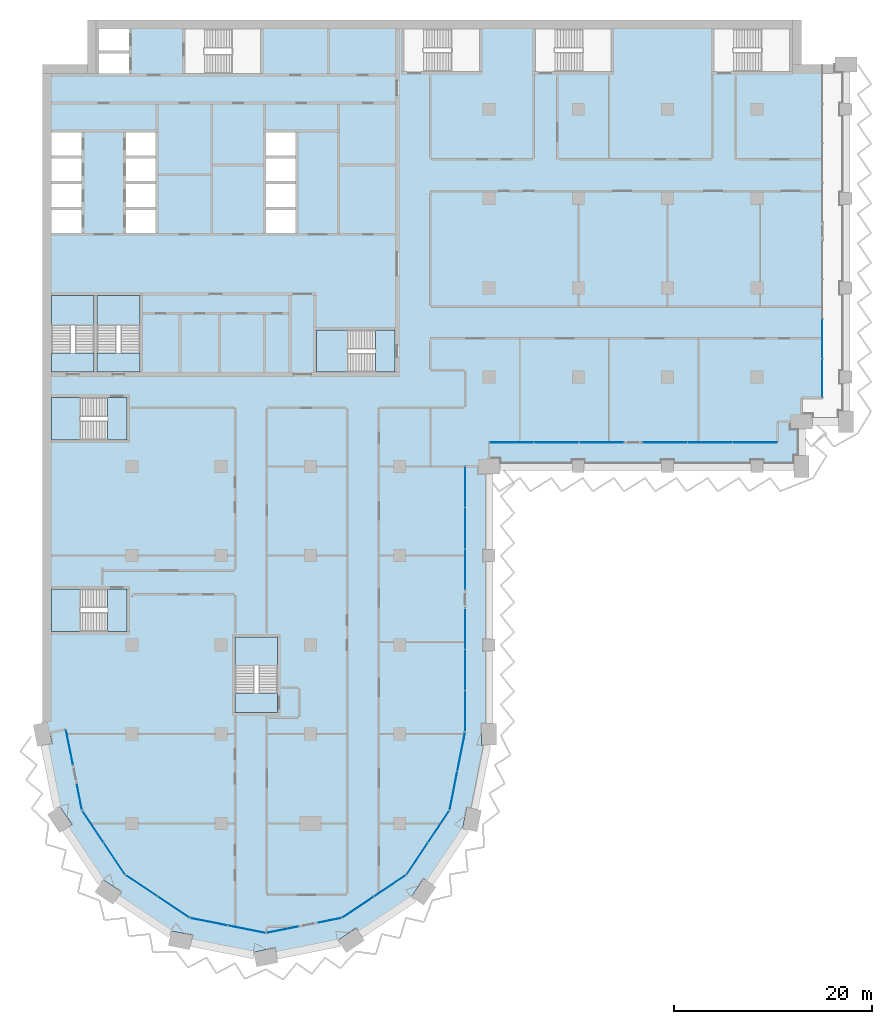
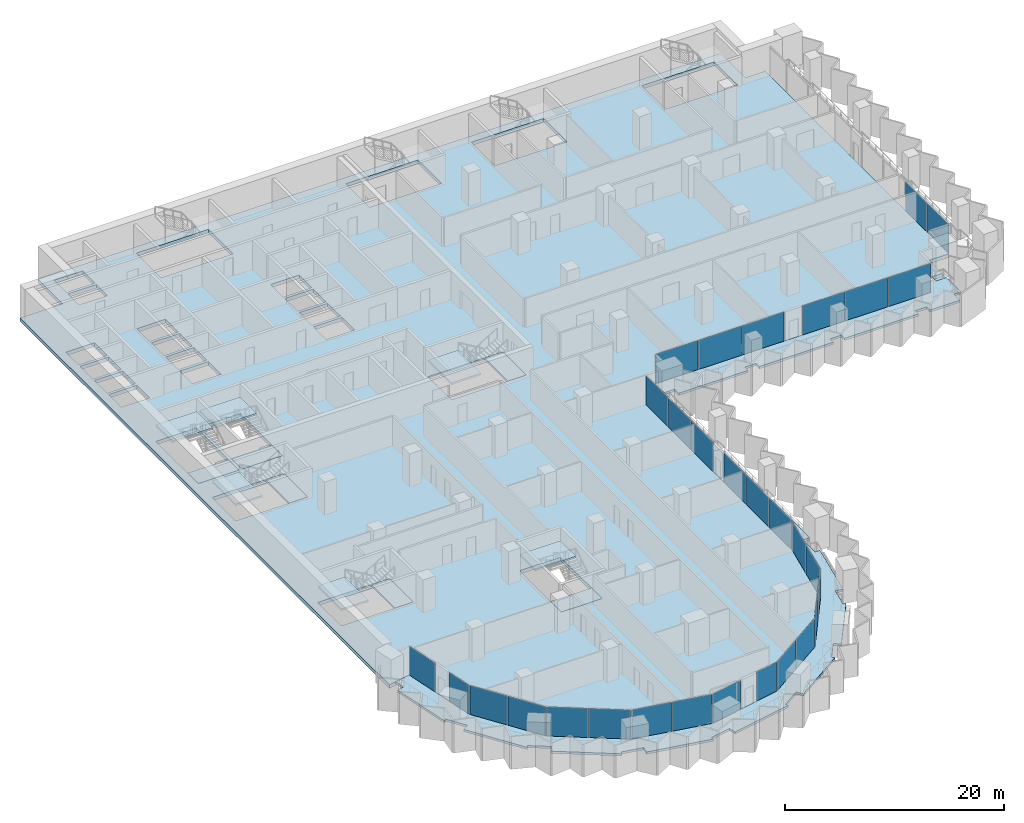
# One storey, part 7 of 22: 30 plates, 15 slabs, 21 elements without a shape of their own.
"""IFC4 building model written with IfcOpenShell, lengths in metres."""

from ifc_helpers import new_model, si_unit, direction, frame, origin, origin_2d, place, context, subcontext, project, spatial, polyline, rectangle, outline, extrude, material, layer, layer_set, type_object, element, aggregate, save


model = new_model("IFC4")

# Units and contexts
model_context = context("Model", 3, precision=1e-05, world=origin(), true_north=direction((0.0, 1.0)))
body_context = subcontext(model_context, "Body", "Model", "MODEL_VIEW")
ifc_project = project(units=[si_unit("LENGTHUNIT", "METRE"), si_unit("AREAUNIT", "SQUARE_METRE"), si_unit("VOLUMEUNIT", "CUBIC_METRE"), si_unit("PLANEANGLEUNIT", "RADIAN"), si_unit("MASSUNIT", "GRAM", prefix="KILO")], contexts=[model_context])

# Site, building, storey
site_placement = place(None, origin())
site = spatial("IfcSite", under=ifc_project, at=site_placement, CompositionType="ELEMENT")
building_placement = place(site_placement, origin())
building = spatial("IfcBuilding", under=site, at=building_placement, Name="Hunhe Ridgeline Campus", CompositionType="ELEMENT")
storey_placement = place(building_placement, frame((0.0, 0.0, 92.199951171875)))
storey = spatial("IfcBuildingStorey", under=building, at=storey_placement, Name="L22", CompositionType="ELEMENT", Elevation=92.199951171875)

# Curtain wall, plate
ifc_material_1 = material(Name="Aluminium 6063", Category="aluminium")
curtain_wall_type_1 = type_object("IfcCurtainWallType", Name="Curtain wall CW-5", PredefinedType="NOTDEFINED", material=ifc_material_1)
curtain_wall_1_placement = place(storey_placement, origin())
curtain_wall_1 = element("IfcCurtainWall", 1, at=curtain_wall_1_placement, inside=storey, type_object=curtain_wall_type_1, Name="Curtain wall 01", PredefinedType="NOTDEFINED")
ifc_material_2 = material(Name="Low-e laminated glass", Category="glass")
ifc_layer_1 = layer(ifc_material_2, 0.028076171875)
ifc_layer_set_1 = layer_set([ifc_layer_1], Name="Curtain wall glass panel 28 low-e laminated")
plate_type = type_object("IfcPlateType", Name="Curtain wall glass panel 28 low-e laminated", PredefinedType="CURTAIN_PANEL", material=ifc_layer_set_1)
plate_1_placement = place(storey_placement, frame((2.7158203125, 25.65380859375, 0.0), z_axis=(0.0, 0.0, 1.0), x_axis=(0.195095326561, -0.980784284924, 0.0)))
plate_1 = element("IfcPlate", 2, at=plate_1_placement, type_object=plate_type, Name="CW-5 panel 1", PredefinedType="CURTAIN_PANEL", context=body_context, shape_type="SweptSolid", body=[
    extrude(rectangle(XDim=3.560791015625, YDim=0.028076171875, at=origin_2d()), origin(), (0.0, 0.0, 1.0), 3.22998046875),
])
aggregate(curtain_wall_1, [plate_1])

curtain_wall_2_placement = place(storey_placement, origin())
curtain_wall_2 = element("IfcCurtainWall", 3, at=curtain_wall_2_placement, inside=storey, type_object=curtain_wall_type_1, Name="Curtain wall 02", PredefinedType="NOTDEFINED")
plate_2_placement = place(storey_placement, frame((3.701171875, 20.699951171875, 0.0), z_axis=(0.0, 0.0, 1.0), x_axis=(0.195095265587, -0.980784297053, 0.0)))
plate_2 = element("IfcPlate", 4, at=plate_2_placement, type_object=plate_type, Name="CW-5 panel 1", PredefinedType="CURTAIN_PANEL", context=body_context, shape_type="SweptSolid", body=[
    extrude(rectangle(XDim=2.660888671875, YDim=0.028076171875, at=origin_2d()), origin(), (0.0, 0.0, 1.0), 3.22998046875),
])
aggregate(curtain_wall_2, [plate_2])

# Curtain wall, plates
curtain_wall_3_placement = place(storey_placement, origin())
curtain_wall_3 = element("IfcCurtainWall", 5, at=curtain_wall_3_placement, inside=storey, type_object=curtain_wall_type_1, Name="Curtain wall 03", PredefinedType="NOTDEFINED")
plate_3_placement = place(storey_placement, frame((5.07080078125, 17.685546875, 0.0), z_axis=(0.0, 0.0, 1.0), x_axis=(0.555570274596, -0.831469584522, 0.0)))
plate_3 = element("IfcPlate", 6, at=plate_3_placement, type_object=plate_type, Name="CW-5 panel 1", PredefinedType="CURTAIN_PANEL", context=body_context, shape_type="SweptSolid", body=[
    extrude(rectangle(XDim=3.806884765625, YDim=0.028076171875, at=origin_2d()), origin(), (0.0, 0.0, 1.0), 3.22998046875),
])
plate_4_placement = place(storey_placement, frame((7.224609375, 14.4619140625, 0.0), z_axis=(0.0, 0.0, 1.0), x_axis=(0.555570274596, -0.831469584522, 0.0)))
plate_4 = element("IfcPlate", 7, at=plate_4_placement, type_object=plate_type, Name="CW-5 panel 2", PredefinedType="CURTAIN_PANEL", context=body_context, shape_type="SweptSolid", body=[
    extrude(rectangle(XDim=3.806884765625, YDim=0.028076171875, at=origin_2d()), origin(), (0.0, 0.0, 1.0), 3.22998046875),
])
aggregate(curtain_wall_3, [plate_3, plate_4])

curtain_wall_4_placement = place(storey_placement, origin())
curtain_wall_4 = element("IfcCurtainWall", 8, at=curtain_wall_4_placement, inside=storey, type_object=curtain_wall_type_1, Name="Curtain wall 04", PredefinedType="NOTDEFINED")
plate_5_placement = place(storey_placement, frame((9.9619140625, 11.724609375, 0.0), z_axis=(0.0, 0.0, 1.0), x_axis=(0.831469584522, -0.555570274596, 0.0)))
plate_5 = element("IfcPlate", 9, at=plate_5_placement, type_object=plate_type, Name="CW-5 panel 1", PredefinedType="CURTAIN_PANEL", context=body_context, shape_type="SweptSolid", body=[
    extrude(rectangle(XDim=3.806884765625, YDim=0.028076171875, at=origin_2d()), origin(), (0.0, 0.0, 1.0), 3.22998046875),
])
plate_6_placement = place(storey_placement, frame((13.185546875, 9.57080078125, 0.0), z_axis=(0.0, 0.0, 1.0), x_axis=(0.831469584522, -0.555570274596, 0.0)))
plate_6 = element("IfcPlate", 10, at=plate_6_placement, type_object=plate_type, Name="CW-5 panel 2", PredefinedType="CURTAIN_PANEL", context=body_context, shape_type="SweptSolid", body=[
    extrude(rectangle(XDim=3.806884765625, YDim=0.028076171875, at=origin_2d()), origin(), (0.0, 0.0, 1.0), 3.22998046875),
])
aggregate(curtain_wall_4, [plate_5, plate_6])

curtain_wall_5_placement = place(storey_placement, origin())
curtain_wall_5 = element("IfcCurtainWall", 11, at=curtain_wall_5_placement, inside=storey, type_object=curtain_wall_type_1, Name="Curtain wall 05", PredefinedType="NOTDEFINED")
plate_7_placement = place(storey_placement, frame((16.761962890625, 8.08935546875, 0.0), z_axis=(0.0, 0.0, 1.0), x_axis=(0.980785275326, -0.195090347539, 0.0)))
plate_7 = element("IfcPlate", 12, at=plate_7_placement, type_object=plate_type, Name="CW-5 panel 1", PredefinedType="CURTAIN_PANEL", context=body_context, shape_type="SweptSolid", body=[
    extrude(rectangle(XDim=3.806884765625, YDim=0.028076171875, at=origin_2d()), origin(), (0.0, 0.0, 1.0), 3.22998046875),
])
plate_8_placement = place(storey_placement, frame((20.564453125, 7.3330078125, 0.0), z_axis=(0.0, 0.0, 1.0), x_axis=(0.980785275326, -0.195090347539, 0.0)))
plate_8 = element("IfcPlate", 13, at=plate_8_placement, type_object=plate_type, Name="CW-5 panel 2", PredefinedType="CURTAIN_PANEL", context=body_context, shape_type="SweptSolid", body=[
    extrude(rectangle(XDim=3.806884765625, YDim=0.028076171875, at=origin_2d()), origin(), (0.0, 0.0, 1.0), 3.22998046875),
])
aggregate(curtain_wall_5, [plate_7, plate_8])

# Curtain wall, plate
curtain_wall_6_placement = place(storey_placement, origin())
curtain_wall_6 = element("IfcCurtainWall", 14, at=curtain_wall_6_placement, inside=storey, type_object=curtain_wall_type_1, Name="Curtain wall 06", PredefinedType="NOTDEFINED")
plate_9_placement = place(storey_placement, frame((24.19775390625, 7.28564453125, 0.0), z_axis=(0.0, 0.0, 1.0), x_axis=(0.980785270791, 0.19509037034, 0.0)))
plate_9 = element("IfcPlate", 15, at=plate_9_placement, type_object=plate_type, Name="CW-5 panel 1", PredefinedType="CURTAIN_PANEL", context=body_context, shape_type="SweptSolid", body=[
    extrude(rectangle(XDim=3.322021484375, YDim=0.028076171875, at=origin_2d()), origin(), (0.0, 0.0, 1.0), 3.22998046875),
])
aggregate(curtain_wall_6, [plate_9])

curtain_wall_7_placement = place(storey_placement, origin())
curtain_wall_7 = element("IfcCurtainWall", 16, at=curtain_wall_7_placement, inside=storey, type_object=curtain_wall_type_1, Name="Curtain wall 07", PredefinedType="NOTDEFINED")
plate_10_placement = place(storey_placement, frame((28.917236328125, 8.224609375, 0.0), z_axis=(0.0, 0.0, 1.0), x_axis=(0.980785242091, 0.195090514627, 0.0)))
plate_10 = element("IfcPlate", 17, at=plate_10_placement, type_object=plate_type, Name="CW-5 panel 1", PredefinedType="CURTAIN_PANEL", context=body_context, shape_type="SweptSolid", body=[
    extrude(rectangle(XDim=2.421875, YDim=0.028076171875, at=origin_2d()), origin(), (0.0, 0.0, 1.0), 3.22998046875),
])
aggregate(curtain_wall_7, [plate_10])

# Curtain wall, plates
curtain_wall_8_placement = place(storey_placement, origin())
curtain_wall_8 = element("IfcCurtainWall", 18, at=curtain_wall_8_placement, inside=storey, type_object=curtain_wall_type_1, Name="Curtain wall 08", PredefinedType="NOTDEFINED")
plate_11_placement = place(storey_placement, frame((31.814453125, 9.57080078125, 0.0), z_axis=(0.0, 0.0, 1.0), x_axis=(0.831469584522, 0.555570274596, 0.0)))
plate_11 = element("IfcPlate", 19, at=plate_11_placement, type_object=plate_type, Name="CW-5 panel 1", PredefinedType="CURTAIN_PANEL", context=body_context, shape_type="SweptSolid", body=[
    extrude(rectangle(XDim=3.806884765625, YDim=0.028076171875, at=origin_2d()), origin(), (0.0, 0.0, 1.0), 3.22998046875),
])
plate_12_placement = place(storey_placement, frame((35.0380859375, 11.724609375, 0.0), z_axis=(0.0, 0.0, 1.0), x_axis=(0.831469584522, 0.555570274596, 0.0)))
plate_12 = element("IfcPlate", 20, at=plate_12_placement, type_object=plate_type, Name="CW-5 panel 2", PredefinedType="CURTAIN_PANEL", context=body_context, shape_type="SweptSolid", body=[
    extrude(rectangle(XDim=3.806884765625, YDim=0.028076171875, at=origin_2d()), origin(), (0.0, 0.0, 1.0), 3.22998046875),
])
aggregate(curtain_wall_8, [plate_11, plate_12])

curtain_wall_9_placement = place(storey_placement, origin())
curtain_wall_9 = element("IfcCurtainWall", 21, at=curtain_wall_9_placement, inside=storey, type_object=curtain_wall_type_1, Name="Curtain wall 09", PredefinedType="NOTDEFINED")
plate_13_placement = place(storey_placement, frame((37.775390625, 14.4619140625, 0.0), z_axis=(0.0, 0.0, 1.0), x_axis=(0.555570274596, 0.831469584522, 0.0)))
plate_13 = element("IfcPlate", 22, at=plate_13_placement, type_object=plate_type, Name="CW-5 panel 1", PredefinedType="CURTAIN_PANEL", context=body_context, shape_type="SweptSolid", body=[
    extrude(rectangle(XDim=3.806884765625, YDim=0.028076171875, at=origin_2d()), origin(), (0.0, 0.0, 1.0), 3.22998046875),
])
plate_14_placement = place(storey_placement, frame((39.92919921875, 17.685546875, 0.0), z_axis=(0.0, 0.0, 1.0), x_axis=(0.555570274596, 0.831469584522, 0.0)))
plate_14 = element("IfcPlate", 23, at=plate_14_placement, type_object=plate_type, Name="CW-5 panel 2", PredefinedType="CURTAIN_PANEL", context=body_context, shape_type="SweptSolid", body=[
    extrude(rectangle(XDim=3.806884765625, YDim=0.028076171875, at=origin_2d()), origin(), (0.0, 0.0, 1.0), 3.22998046875),
])
aggregate(curtain_wall_9, [plate_13, plate_14])

curtain_wall_10_placement = place(storey_placement, origin())
curtain_wall_10 = element("IfcCurtainWall", 24, at=curtain_wall_10_placement, inside=storey, type_object=curtain_wall_type_1, Name="Curtain wall 10", PredefinedType="NOTDEFINED")
plate_15_placement = place(storey_placement, frame((41.42236328125, 21.321044921875, 0.0), z_axis=(0.0, 0.0, 1.0), x_axis=(0.195090299215, 0.980785284939, 0.0)))
plate_15 = element("IfcPlate", 25, at=plate_15_placement, type_object=plate_type, Name="CW-5 panel 1", PredefinedType="CURTAIN_PANEL", context=body_context, shape_type="SweptSolid", body=[
    extrude(rectangle(XDim=3.927490234375, YDim=0.028076171875, at=origin_2d()), origin(), (0.0, 0.0, 1.0), 3.22998046875),
])
plate_16_placement = place(storey_placement, frame((42.2021484375, 25.24169921875, 0.0), z_axis=(0.0, 0.0, 1.0), x_axis=(0.195090299215, 0.980785284939, 0.0)))
plate_16 = element("IfcPlate", 26, at=plate_16_placement, type_object=plate_type, Name="CW-5 panel 2", PredefinedType="CURTAIN_PANEL", context=body_context, shape_type="SweptSolid", body=[
    extrude(rectangle(XDim=3.927490234375, YDim=0.028076171875, at=origin_2d()), origin(), (0.0, 0.0, 1.0), 3.22998046875),
])
aggregate(curtain_wall_10, [plate_15, plate_16])

curtain_wall_type_2 = type_object("IfcCurtainWallType", Name="Curtain wall CW-1", PredefinedType="NOTDEFINED", material=ifc_material_1)
curtain_wall_11_placement = place(storey_placement, origin())
curtain_wall_11 = element("IfcCurtainWall", 27, at=curtain_wall_11_placement, inside=storey, type_object=curtain_wall_type_2, Name="Curtain wall 11", PredefinedType="NOTDEFINED")
plate_17_placement = place(storey_placement, frame((42.59912109375, 29.331787109375, 0.0), z_axis=(0.0, 0.0, 1.0), x_axis=(1.0975712e-05, 0.99999999994, 0.0)))
plate_17 = element("IfcPlate", 28, at=plate_17_placement, type_object=plate_type, Name="CW-1 panel 1", PredefinedType="CURTAIN_PANEL", context=body_context, shape_type="SweptSolid", body=[
    extrude(rectangle(XDim=4.07080078125, YDim=0.028076171875, at=origin_2d()), origin(), (0.0, 0.0, 1.0), 3.239990234375),
])
plate_18_placement = place(storey_placement, frame((42.59912109375, 33.4775390625, 0.0), z_axis=(0.0, 0.0, 1.0), x_axis=(1.0975712e-05, 0.99999999994, 0.0)))
plate_18 = element("IfcPlate", 29, at=plate_18_placement, type_object=plate_type, Name="CW-1 panel 2", PredefinedType="CURTAIN_PANEL", context=body_context, shape_type="SweptSolid", body=[
    extrude(rectangle(XDim=4.1005859375, YDim=0.028076171875, at=origin_2d()), origin(), (0.0, 0.0, 1.0), 3.239990234375),
])
plate_19_placement = place(storey_placement, frame((42.59912109375, 37.623291015625, 0.0), z_axis=(0.0, 0.0, 1.0), x_axis=(1.0975712e-05, 0.99999999994, 0.0)))
plate_19 = element("IfcPlate", 30, at=plate_19_placement, type_object=plate_type, Name="CW-1 panel 3", PredefinedType="CURTAIN_PANEL", context=body_context, shape_type="SweptSolid", body=[
    extrude(rectangle(XDim=4.07080078125, YDim=0.028076171875, at=origin_2d()), origin(), (0.0, 0.0, 1.0), 3.239990234375),
])
aggregate(curtain_wall_11, [plate_17, plate_18, plate_19])

curtain_wall_12_placement = place(storey_placement, origin())
curtain_wall_12 = element("IfcCurtainWall", 31, at=curtain_wall_12_placement, inside=storey, type_object=curtain_wall_type_2, Name="Curtain wall 12", PredefinedType="NOTDEFINED")
plate_20_placement = place(storey_placement, frame((42.59912109375, 43.614013671875, 0.0), z_axis=(0.0, 0.0, 1.0), x_axis=(1.0975712e-05, 0.99999999994, 0.0)))
plate_20 = element("IfcPlate", 32, at=plate_20_placement, type_object=plate_type, Name="CW-1 panel 1", PredefinedType="CURTAIN_PANEL", context=body_context, shape_type="SweptSolid", body=[
    extrude(rectangle(XDim=4.07080078125, YDim=0.028076171875, at=origin_2d()), origin(), (0.0, 0.0, 1.0), 3.239990234375),
])
plate_21_placement = place(storey_placement, frame((42.59912109375, 47.759765625, 0.0), z_axis=(0.0, 0.0, 1.0), x_axis=(1.0975712e-05, 0.99999999994, 0.0)))
plate_21 = element("IfcPlate", 33, at=plate_21_placement, type_object=plate_type, Name="CW-1 panel 2", PredefinedType="CURTAIN_PANEL", context=body_context, shape_type="SweptSolid", body=[
    extrude(rectangle(XDim=4.1005859375, YDim=0.028076171875, at=origin_2d()), origin(), (0.0, 0.0, 1.0), 3.239990234375),
])
plate_22_placement = place(storey_placement, frame((42.599365234375, 51.9052734375, 0.0), z_axis=(0.0, 0.0, 1.0), x_axis=(1.0975712e-05, 0.99999999994, 0.0)))
plate_22 = element("IfcPlate", 34, at=plate_22_placement, type_object=plate_type, Name="CW-1 panel 3", PredefinedType="CURTAIN_PANEL", context=body_context, shape_type="SweptSolid", body=[
    extrude(rectangle(XDim=4.07080078125, YDim=0.028076171875, at=origin_2d()), origin(), (0.0, 0.0, 1.0), 3.239990234375),
])
aggregate(curtain_wall_12, [plate_20, plate_21, plate_22])

curtain_wall_13_placement = place(storey_placement, origin())
curtain_wall_13 = element("IfcCurtainWall", 35, at=curtain_wall_13_placement, inside=storey, type_object=curtain_wall_type_2, Name="Curtain wall 13", PredefinedType="NOTDEFINED")
plate_23_placement = place(storey_placement, frame((47.289794921875, 56.40087890625, 0.0), z_axis=(0.0, 0.0, 1.0), x_axis=(1.0, 1.4652e-07, 0.0)))
plate_23 = element("IfcPlate", 36, at=plate_23_placement, type_object=plate_type, Name="CW-1 panel 1", PredefinedType="CURTAIN_PANEL", context=body_context, shape_type="SweptSolid", body=[
    extrude(rectangle(XDim=4.4599609375, YDim=0.028076171875, at=origin_2d()), origin(), (0.0, 0.0, 1.0), 3.239990234375),
])
plate_24_placement = place(storey_placement, frame((51.82470703125, 56.40087890625, 0.0), z_axis=(0.0, 0.0, 1.0), x_axis=(1.0, 1.4652e-07, 0.0)))
plate_24 = element("IfcPlate", 37, at=plate_24_placement, type_object=plate_type, Name="CW-1 panel 2", PredefinedType="CURTAIN_PANEL", context=body_context, shape_type="SweptSolid", body=[
    extrude(rectangle(XDim=4.48974609375, YDim=0.028076171875, at=origin_2d()), origin(), (0.0, 0.0, 1.0), 3.239990234375),
])
plate_25_placement = place(storey_placement, frame((56.359619140625, 56.40087890625, 0.0), z_axis=(0.0, 0.0, 1.0), x_axis=(1.0, 1.4652e-07, 0.0)))
plate_25 = element("IfcPlate", 38, at=plate_25_placement, type_object=plate_type, Name="CW-1 panel 3", PredefinedType="CURTAIN_PANEL", context=body_context, shape_type="SweptSolid", body=[
    extrude(rectangle(XDim=4.4599609375, YDim=0.028076171875, at=origin_2d()), origin(), (0.0, 0.0, 1.0), 3.239990234375),
])
aggregate(curtain_wall_13, [plate_23, plate_24, plate_25])

curtain_wall_14_placement = place(storey_placement, origin())
curtain_wall_14 = element("IfcCurtainWall", 39, at=curtain_wall_14_placement, inside=storey, type_object=curtain_wall_type_2, Name="Curtain wall 14", PredefinedType="NOTDEFINED")
plate_26_placement = place(storey_placement, frame((62.7392578125, 56.40087890625, 0.0), z_axis=(0.0, 0.0, 1.0), x_axis=(1.0, 1.4652e-07, 0.0)))
plate_26 = element("IfcPlate", 40, at=plate_26_placement, type_object=plate_type, Name="CW-1 panel 1", PredefinedType="CURTAIN_PANEL", context=body_context, shape_type="SweptSolid", body=[
    extrude(rectangle(XDim=4.4599609375, YDim=0.028076171875, at=origin_2d()), origin(), (0.0, 0.0, 1.0), 3.239990234375),
])
plate_27_placement = place(storey_placement, frame((67.274169921875, 56.40087890625, 0.0), z_axis=(0.0, 0.0, 1.0), x_axis=(1.0, 1.4652e-07, 0.0)))
plate_27 = element("IfcPlate", 41, at=plate_27_placement, type_object=plate_type, Name="CW-1 panel 2", PredefinedType="CURTAIN_PANEL", context=body_context, shape_type="SweptSolid", body=[
    extrude(rectangle(XDim=4.48974609375, YDim=0.028076171875, at=origin_2d()), origin(), (0.0, 0.0, 1.0), 3.239990234375),
])
plate_28_placement = place(storey_placement, frame((71.80908203125, 56.40087890625, 0.0), z_axis=(0.0, 0.0, 1.0), x_axis=(1.0, 1.4652e-07, 0.0)))
plate_28 = element("IfcPlate", 42, at=plate_28_placement, type_object=plate_type, Name="CW-1 panel 3", PredefinedType="CURTAIN_PANEL", context=body_context, shape_type="SweptSolid", body=[
    extrude(rectangle(XDim=4.4599609375, YDim=0.028076171875, at=origin_2d()), origin(), (0.0, 0.0, 1.0), 3.239990234375),
])
aggregate(curtain_wall_14, [plate_26, plate_27, plate_28])

curtain_wall_15_placement = place(storey_placement, origin())
curtain_wall_15 = element("IfcCurtainWall", 43, at=curtain_wall_15_placement, inside=storey, type_object=curtain_wall_type_2, Name="Curtain wall 15", PredefinedType="NOTDEFINED")
plate_29_placement = place(storey_placement, frame((78.59912109375, 62.9033203125, 0.0), z_axis=(0.0, 0.0, 1.0), x_axis=(0.0, 1.0, 0.0)))
plate_29 = element("IfcPlate", 44, at=plate_29_placement, type_object=plate_type, Name="CW-1 panel 1", PredefinedType="CURTAIN_PANEL", context=body_context, shape_type="SweptSolid", body=[
    extrude(rectangle(XDim=3.884765625, YDim=0.028076171875, at=origin_2d()), origin(), (0.0, 0.0, 1.0), 3.239990234375),
])
plate_30_placement = place(storey_placement, frame((78.59912109375, 66.86328125, 0.0), z_axis=(0.0, 0.0, 1.0), x_axis=(0.0, 1.0, 0.0)))
plate_30 = element("IfcPlate", 45, at=plate_30_placement, type_object=plate_type, Name="CW-1 panel 2", PredefinedType="CURTAIN_PANEL", context=body_context, shape_type="SweptSolid", body=[
    extrude(rectangle(XDim=3.914794921875, YDim=0.028076171875, at=origin_2d()), origin(), (0.0, 0.0, 1.0), 3.239990234375),
])
aggregate(curtain_wall_15, [plate_29, plate_30])

# Slabs
ifc_material_3 = material(Name="Concrete C40", Category="concrete")
ifc_layer_2 = layer(ifc_material_3, 0.39990234375)
ifc_layer_set_2 = layer_set([ifc_layer_2], Name="Floor slab 400 Concrete C40")
slab_type_1 = type_object("IfcSlabType", Name="Floor slab 400 Concrete C40", PredefinedType="FLOOR", material=ifc_layer_set_2)
slab_1_placement = place(storey_placement, frame((0.0, 0.0, -0.39990234375)))
element("IfcSlab", 46, at=slab_1_placement, inside=storey, type_object=slab_type_1, Name="Floor slab L22 1", PredefinedType="FLOOR", context=body_context, shape_type="SweptSolid", body=[
    extrude(outline(polyline([(0.0, 27.0009765625), (2.354736328125, 27.46875), (3.974365234375, 19.326416015625), (8.321044921875, 12.821044921875), (14.826416015625, 8.474365234375), (22.5, 6.947998046875), (30.173583984375, 8.474365234375), (36.678955078125, 12.821044921875), (41.025634765625, 19.326416015625), (42.59912109375, 27.236572265625), (42.599365234375, 54.000732421875), (44.9990234375, 54.0009765625), (45.0, 56.40087890625), (74.09912109375, 56.40087890625), (74.099365234375, 58.500732421875), (76.4990234375, 58.5009765625), (76.499267578125, 60.900634765625), (78.59912109375, 60.90087890625), (78.59912109375, 94.5), (76.5, 94.5), (76.5, 99.0), (4.5, 99.0), (4.5, 94.5), (0.0, 94.5), (0.0, 27.0009765625)]), holes=[polyline([(67.699951171875, 93.800048828125), (75.300048828125, 93.800048828125), (75.300048828125, 98.10009765625), (67.699951171875, 98.10009765625), (67.699951171875, 93.800048828125)]), polyline([(57.300048828125, 93.800048828125), (57.300048828125, 98.10009765625), (49.699951171875, 98.10009765625), (49.699951171875, 93.800048828125), (57.300048828125, 93.800048828125)]), polyline([(44.050048828125, 98.10009765625), (36.449951171875, 98.10009765625), (36.449951171875, 93.800048828125), (44.050048828125, 93.800048828125), (44.050048828125, 98.10009765625)]), polyline([(27.60009765625, 67.75), (27.60009765625, 63.5), (35.5, 63.5), (35.5, 67.75), (27.60009765625, 67.75)]), polyline([(25.5, 85.35009765625), (25.5, 87.64990234375), (22.5, 87.64990234375), (22.5, 85.35009765625), (25.5, 85.35009765625)]), polyline([(25.5, 85.050048828125), (22.5, 85.050048828125), (22.5, 82.75), (25.5, 82.75), (25.5, 85.050048828125)]), polyline([(22.5, 82.449951171875), (22.5, 80.14990234375), (25.5, 80.14990234375), (25.5, 82.449951171875), (22.5, 82.449951171875)]), polyline([(22.5, 77.550048828125), (25.5, 77.550048828125), (25.5, 79.85009765625), (22.5, 79.85009765625), (22.5, 77.550048828125)]), polyline([(19.39990234375, 29.199951171875), (23.699951171875, 29.199951171875), (23.699951171875, 36.800048828125), (19.39990234375, 36.800048828125), (19.39990234375, 29.199951171875)]), polyline([(21.949951171875, 98.10009765625), (14.35009765625, 98.10009765625), (14.35009765625, 93.60009765625), (21.949951171875, 93.60009765625), (21.949951171875, 98.10009765625)]), polyline([(8.39990234375, 82.449951171875), (8.39990234375, 80.14990234375), (11.39990234375, 80.14990234375), (11.39990234375, 82.449951171875), (8.39990234375, 82.449951171875)]), polyline([(11.39990234375, 85.35009765625), (11.39990234375, 87.64990234375), (8.39990234375, 87.64990234375), (8.39990234375, 85.35009765625), (11.39990234375, 85.35009765625)]), polyline([(11.39990234375, 85.050048828125), (8.39990234375, 85.050048828125), (8.39990234375, 82.75), (11.39990234375, 82.75), (11.39990234375, 85.050048828125)]), polyline([(8.39990234375, 77.550048828125), (11.39990234375, 77.550048828125), (11.39990234375, 79.85009765625), (8.39990234375, 79.85009765625), (8.39990234375, 77.550048828125)]), polyline([(5.5, 63.5), (9.800048828125, 63.5), (9.800048828125, 71.25), (5.5, 71.25), (5.5, 63.5)]), polyline([(5.699951171875, 98.10009765625), (5.699951171875, 95.89990234375), (8.699951171875, 95.89990234375), (8.699951171875, 98.10009765625), (5.699951171875, 98.10009765625)]), polyline([(5.699951171875, 93.60009765625), (8.699951171875, 93.60009765625), (8.699951171875, 95.60009765625), (5.699951171875, 95.60009765625), (5.699951171875, 93.60009765625)]), polyline([(0.89990234375, 60.949951171875), (0.89990234375, 56.64990234375), (8.5, 56.64990234375), (8.5, 60.949951171875), (0.89990234375, 60.949951171875)]), polyline([(0.89990234375, 37.35009765625), (8.5, 37.35009765625), (8.5, 41.64990234375), (0.89990234375, 41.64990234375), (0.89990234375, 37.35009765625)]), polyline([(5.199951171875, 63.5), (5.199951171875, 71.25), (0.89990234375, 71.25), (0.89990234375, 63.5), (5.199951171875, 63.5)]), polyline([(3.89990234375, 85.35009765625), (3.89990234375, 87.64990234375), (0.89990234375, 87.64990234375), (0.89990234375, 85.35009765625), (3.89990234375, 85.35009765625)]), polyline([(3.89990234375, 85.050048828125), (0.89990234375, 85.050048828125), (0.89990234375, 82.75), (3.89990234375, 82.75), (3.89990234375, 85.050048828125)]), polyline([(0.89990234375, 82.449951171875), (0.89990234375, 80.14990234375), (3.89990234375, 80.14990234375), (3.89990234375, 82.449951171875), (0.89990234375, 82.449951171875)]), polyline([(0.89990234375, 77.550048828125), (3.89990234375, 77.550048828125), (3.89990234375, 79.85009765625), (0.89990234375, 79.85009765625), (0.89990234375, 77.550048828125)])]), origin(), (0.0, 0.0, 1.0), 0.39990234375),
])
ifc_layer_3 = layer(ifc_material_3, 0.25)
ifc_layer_set_3 = layer_set([ifc_layer_3], Name="Loggia slab 250 Concrete C40")
slab_type_2 = type_object("IfcSlabType", Name="Loggia slab 250 Concrete C40", PredefinedType="FLOOR", material=ifc_layer_set_3)
slab_2_placement = place(storey_placement, frame((0.0, 0.0, -0.25)))
element("IfcSlab", 47, at=slab_2_placement, inside=storey, type_object=slab_type_2, Name="Loggia slab 1", PredefinedType="FLOOR", context=body_context, shape_type="SweptSolid", body=[
    extrude(outline(polyline([(30.173828125, 8.473388671875), (22.5, 6.947021484375), (14.826171875, 8.473388671875), (8.3203125, 12.8203125), (3.973388671875, 19.326171875), (2.35400390625, 27.46826171875), (0.735595703125, 27.146240234375), (0.9501953125, 26.0673828125), (0.214599609375, 25.921142578125), (1.48046875, 19.557373046875), (1.72509765625, 19.720947265625), (2.947509765625, 17.8916015625), (2.32373046875, 17.47509765625), (5.9287109375, 12.080078125), (6.092041015625, 12.32470703125), (7.92138671875, 11.1025390625), (7.504638671875, 10.47900390625), (12.899658203125, 6.874267578125), (12.95703125, 7.162841796875), (15.11474609375, 6.733642578125), (14.968505859375, 5.998046875), (21.332275390625, 4.732177734375), (21.27490234375, 5.02099609375), (23.4326171875, 5.4501953125), (23.578857421875, 4.714599609375), (29.942626953125, 5.98046875), (29.779052734375, 6.22509765625), (31.6083984375, 7.447509765625), (32.02490234375, 6.82373046875), (37.419921875, 10.4287109375), (37.17529296875, 10.592041015625), (38.3974609375, 12.42138671875), (39.02099609375, 12.004638671875), (42.625732421875, 17.399658203125), (42.337158203125, 17.45703125), (42.766357421875, 19.61474609375), (43.501953125, 19.468505859375), (44.78125, 25.89990234375), (44.25, 25.89990234375), (44.25, 28.10009765625), (45.0, 28.10009765625), (45.0, 35.39990234375), (44.39990234375, 35.39990234375), (44.39990234375, 36.60009765625), (45.0, 36.60009765625), (45.0, 44.39990234375), (44.39990234375, 44.39990234375), (44.39990234375, 45.60009765625), (45.0, 45.60009765625), (45.0, 53.25), (43.89990234375, 53.25), (43.89990234375, 54.0), (42.60009765625, 54.0), (42.60009765625, 27.236328125), (41.026611328125, 19.326171875), (36.6796875, 12.8203125), (30.173828125, 8.473388671875)])), origin(), (0.0, 0.0, 1.0), 0.25),
])
slab_3_placement = place(storey_placement, frame((0.0, 0.0, -0.25)))
element("IfcSlab", 48, at=slab_3_placement, inside=storey, type_object=slab_type_2, Name="Loggia slab 2", PredefinedType="FLOOR", context=body_context, shape_type="SweptSolid", body=[
    extrude(outline(polyline([(45.0, 54.75), (46.10009765625, 54.75), (46.10009765625, 54.0), (53.39990234375, 54.0), (53.39990234375, 54.60009765625), (54.60009765625, 54.60009765625), (54.60009765625, 54.0), (62.39990234375, 54.0), (62.39990234375, 54.60009765625), (63.60009765625, 54.60009765625), (63.60009765625, 54.0), (71.39990234375, 54.0), (71.39990234375, 54.60009765625), (72.60009765625, 54.60009765625), (72.60009765625, 54.0), (75.75, 54.0), (75.75, 55.10009765625), (76.5, 55.10009765625), (76.5, 57.75), (75.39990234375, 57.75), (75.39990234375, 58.5), (74.10009765625, 58.5), (74.10009765625, 56.39990234375), (45.0, 56.39990234375), (45.0, 54.75)])), origin(), (0.0, 0.0, 1.0), 0.25),
])

# Stair, slab
stair_type = type_object("IfcStairType", Name="Reinforced concrete dog-leg stair 1950 Concrete C40", PredefinedType="HALF_TURN_STAIR", material=ifc_material_3)
stair_1_placement = place(storey_placement, origin())
stair_1 = element("IfcStair", 49, at=stair_1_placement, inside=storey, type_object=stair_type, Name="L22 S2", PredefinedType="HALF_TURN_STAIR")
ifc_layer_4 = layer(ifc_material_3, 0.199951171875)
ifc_layer_set_4 = layer_set([ifc_layer_4], Name="Reinforced concrete stair landing 200 Concrete C40")
slab_type_3 = type_object("IfcSlabType", Name="Reinforced concrete stair landing 200 Concrete C40", PredefinedType="LANDING", material=ifc_layer_set_4)
slab_4_placement = place(storey_placement, frame((0.0, 0.0, 1.650146484375)))
slab_4 = element("IfcSlab", 50, at=slab_4_placement, type_object=slab_type_3, Name="ST2 landing 1", PredefinedType="LANDING", context=body_context, shape_type="SweptSolid", body=[
    extrude(outline(polyline([(30.75, 67.75), (27.60009765625, 67.75), (27.60009765625, 63.5), (30.75, 63.5), (30.75, 67.75)])), origin(), (0.0, 0.0, 1.0), 0.199951171875),
])
aggregate(stair_1, [slab_4])

# Slab
slab_5_placement = place(storey_placement, frame((0.0, 0.0, -0.199951171875)))
element("IfcSlab", 51, at=slab_5_placement, inside=storey, type_object=slab_type_3, Name="L22 stair S2 floor landing", PredefinedType="LANDING", context=body_context, shape_type="SweptSolid", body=[
    extrude(outline(polyline([(35.5, 67.75), (33.550048828125, 67.75), (33.550048828125, 63.5), (35.5, 63.5), (35.5, 67.75)])), origin(), (0.0, 0.0, 1.0), 0.199951171875),
])

# Stair, slab
stair_2_placement = place(storey_placement, origin())
stair_2 = element("IfcStair", 52, at=stair_2_placement, inside=storey, type_object=stair_type, Name="L22 S3", PredefinedType="HALF_TURN_STAIR")
slab_6_placement = place(storey_placement, frame((0.0, 0.0, 1.650146484375)))
slab_6 = element("IfcSlab", 53, at=slab_6_placement, type_object=slab_type_3, Name="ST3 landing 1", PredefinedType="LANDING", context=body_context, shape_type="SweptSolid", body=[
    extrude(outline(polyline([(5.199951171875, 68.25), (5.199951171875, 71.25), (0.89990234375, 71.25), (0.89990234375, 68.25), (5.199951171875, 68.25)])), origin(), (0.0, 0.0, 1.0), 0.199951171875),
])
aggregate(stair_2, [slab_6])

# Slab
slab_7_placement = place(storey_placement, frame((0.0, 0.0, -0.199951171875)))
element("IfcSlab", 54, at=slab_7_placement, inside=storey, type_object=slab_type_3, Name="L22 stair S3 floor landing", PredefinedType="LANDING", context=body_context, shape_type="SweptSolid", body=[
    extrude(outline(polyline([(5.199951171875, 63.5), (5.199951171875, 65.449951171875), (0.89990234375, 65.449951171875), (0.89990234375, 63.5), (5.199951171875, 63.5)])), origin(), (0.0, 0.0, 1.0), 0.199951171875),
])

# Stair, slab
stair_3_placement = place(storey_placement, origin())
stair_3 = element("IfcStair", 55, at=stair_3_placement, inside=storey, type_object=stair_type, Name="L22 S4", PredefinedType="HALF_TURN_STAIR")
slab_8_placement = place(storey_placement, frame((0.0, 0.0, 1.650146484375)))
slab_8 = element("IfcSlab", 56, at=slab_8_placement, type_object=slab_type_3, Name="ST4 landing 1", PredefinedType="LANDING", context=body_context, shape_type="SweptSolid", body=[
    extrude(outline(polyline([(9.800048828125, 68.25), (9.800048828125, 71.25), (5.5, 71.25), (5.5, 68.25), (9.800048828125, 68.25)])), origin(), (0.0, 0.0, 1.0), 0.199951171875),
])
aggregate(stair_3, [slab_8])

# Slab
slab_9_placement = place(storey_placement, frame((0.0, 0.0, -0.199951171875)))
element("IfcSlab", 57, at=slab_9_placement, inside=storey, type_object=slab_type_3, Name="L22 stair S4 floor landing", PredefinedType="LANDING", context=body_context, shape_type="SweptSolid", body=[
    extrude(outline(polyline([(9.800048828125, 63.5), (9.800048828125, 65.449951171875), (5.5, 65.449951171875), (5.5, 63.5), (9.800048828125, 63.5)])), origin(), (0.0, 0.0, 1.0), 0.199951171875),
])

# Stair, slab
stair_4_placement = place(storey_placement, origin())
stair_4 = element("IfcStair", 58, at=stair_4_placement, inside=storey, type_object=stair_type, Name="L22 W3", PredefinedType="HALF_TURN_STAIR")
slab_10_placement = place(storey_placement, frame((0.0, 0.0, 1.650146484375)))
slab_10 = element("IfcSlab", 59, at=slab_10_placement, type_object=slab_type_3, Name="ST9 landing 1", PredefinedType="LANDING", context=body_context, shape_type="SweptSolid", body=[
    extrude(outline(polyline([(23.699951171875, 33.949951171875), (23.699951171875, 36.800048828125), (19.39990234375, 36.800048828125), (19.39990234375, 33.949951171875), (23.699951171875, 33.949951171875)])), origin(), (0.0, 0.0, 1.0), 0.199951171875),
])
aggregate(stair_4, [slab_10])

# Slab
slab_11_placement = place(storey_placement, frame((0.0, 0.0, -0.199951171875)))
element("IfcSlab", 60, at=slab_11_placement, inside=storey, type_object=slab_type_3, Name="L22 stair W3 floor landing", PredefinedType="LANDING", context=body_context, shape_type="SweptSolid", body=[
    extrude(outline(polyline([(23.699951171875, 29.199951171875), (23.699951171875, 31.14990234375), (19.39990234375, 31.14990234375), (19.39990234375, 29.199951171875), (23.699951171875, 29.199951171875)])), origin(), (0.0, 0.0, 1.0), 0.199951171875),
])

# Stair, slab
stair_5_placement = place(storey_placement, origin())
stair_5 = element("IfcStair", 61, at=stair_5_placement, inside=storey, type_object=stair_type, Name="L22 W1", PredefinedType="HALF_TURN_STAIR")
slab_12_placement = place(storey_placement, frame((0.0, 0.0, 1.650146484375)))
slab_12 = element("IfcSlab", 62, at=slab_12_placement, type_object=slab_type_3, Name="ST11 landing 1", PredefinedType="LANDING", context=body_context, shape_type="SweptSolid", body=[
    extrude(outline(polyline([(3.75, 41.64990234375), (0.89990234375, 41.64990234375), (0.89990234375, 37.35009765625), (3.75, 37.35009765625), (3.75, 41.64990234375)])), origin(), (0.0, 0.0, 1.0), 0.199951171875),
])
aggregate(stair_5, [slab_12])

# Slab
slab_13_placement = place(storey_placement, frame((0.0, 0.0, -0.199951171875)))
element("IfcSlab", 63, at=slab_13_placement, inside=storey, type_object=slab_type_3, Name="L22 stair W1 floor landing", PredefinedType="LANDING", context=body_context, shape_type="SweptSolid", body=[
    extrude(outline(polyline([(8.5, 41.64990234375), (6.550048828125, 41.64990234375), (6.550048828125, 37.35009765625), (8.5, 37.35009765625), (8.5, 41.64990234375)])), origin(), (0.0, 0.0, 1.0), 0.199951171875),
])

# Stair, slab
stair_6_placement = place(storey_placement, origin())
stair_6 = element("IfcStair", 64, at=stair_6_placement, inside=storey, type_object=stair_type, Name="L22 W2", PredefinedType="HALF_TURN_STAIR")
slab_14_placement = place(storey_placement, frame((0.0, 0.0, 1.650146484375)))
slab_14 = element("IfcSlab", 65, at=slab_14_placement, type_object=slab_type_3, Name="ST12 landing 1", PredefinedType="LANDING", context=body_context, shape_type="SweptSolid", body=[
    extrude(outline(polyline([(3.75, 60.949951171875), (0.89990234375, 60.949951171875), (0.89990234375, 56.64990234375), (3.75, 56.64990234375), (3.75, 60.949951171875)])), origin(), (0.0, 0.0, 1.0), 0.199951171875),
])
aggregate(stair_6, [slab_14])

# Slab
slab_15_placement = place(storey_placement, frame((0.0, 0.0, -0.199951171875)))
element("IfcSlab", 66, at=slab_15_placement, inside=storey, type_object=slab_type_3, Name="L22 stair W2 floor landing", PredefinedType="LANDING", context=body_context, shape_type="SweptSolid", body=[
    extrude(outline(polyline([(8.5, 60.949951171875), (6.550048828125, 60.949951171875), (6.550048828125, 56.64990234375), (8.5, 56.64990234375), (8.5, 60.949951171875)])), origin(), (0.0, 0.0, 1.0), 0.199951171875),
])

save(model, "model.ifc")
